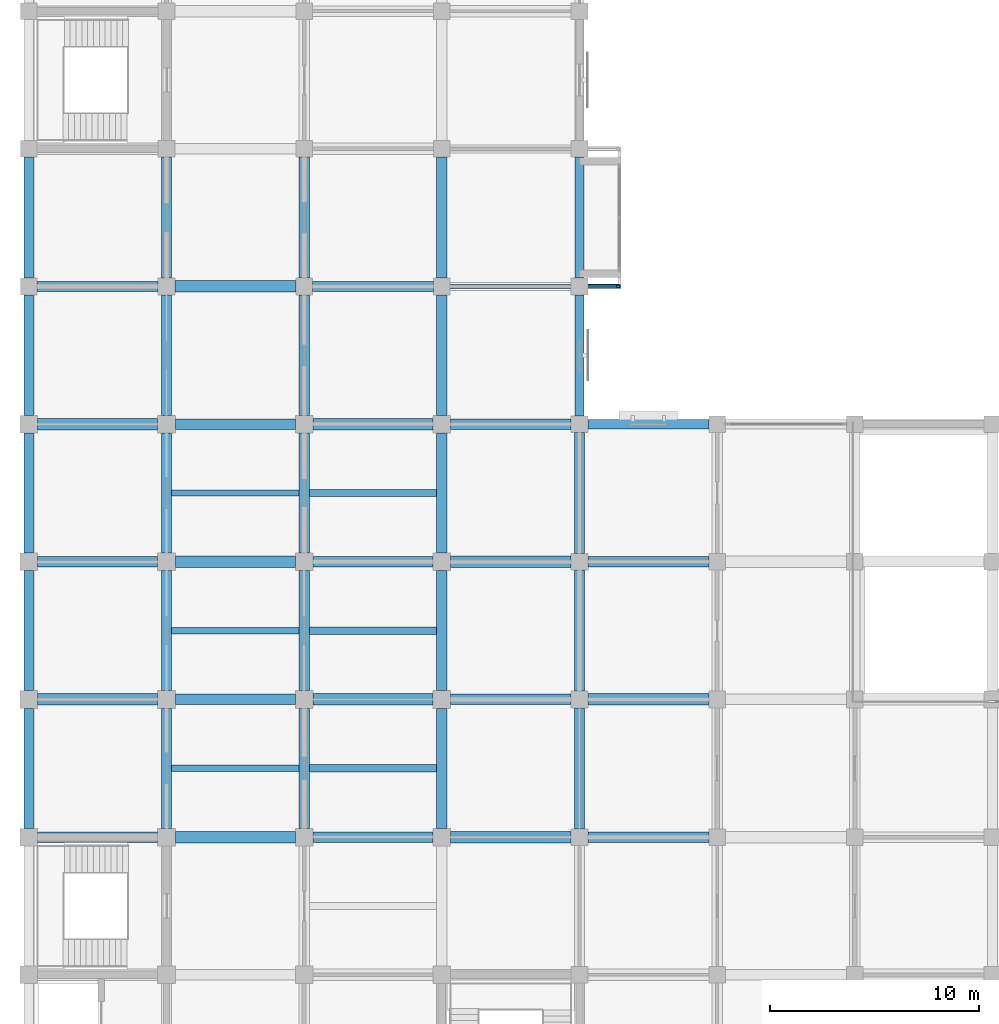
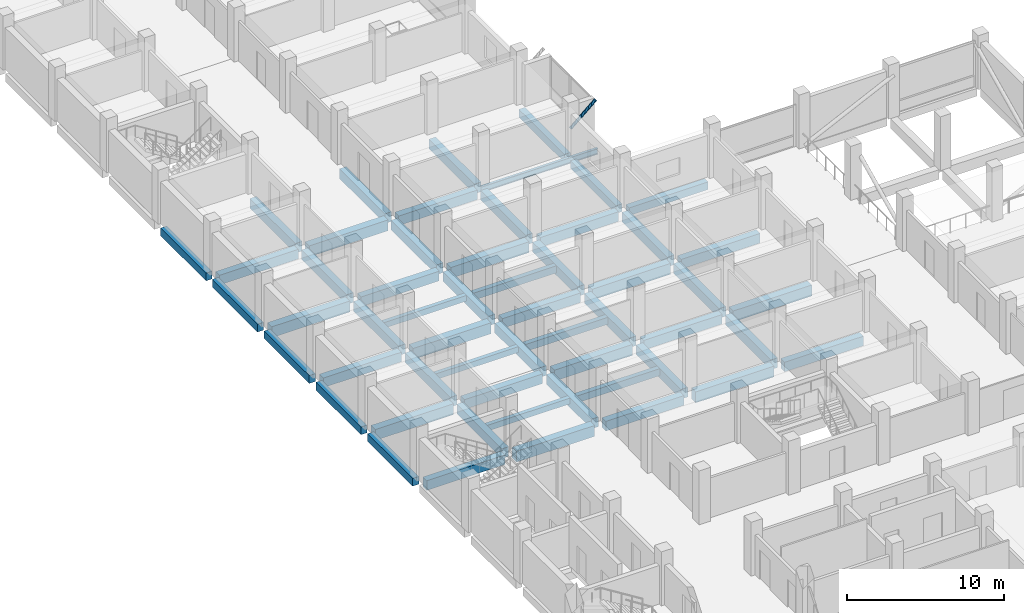
# One storey, part 4 of 30: 55 beams, 1 member.
"""IFC4 building model written with IfcOpenShell, lengths in metres."""

from ifc_helpers import new_model, si_unit, direction, frame, origin, origin_2d, place, context, subcontext, project, spatial, rectangle, hollow_circle, i_section, extrude, material, material_profile, profile_set, type_object, element, save


model = new_model("IFC4")

# Units and contexts
model_context = context("Model", 3, precision=1e-05, world=origin(), true_north=direction((0.0, 1.0)))
body_context = subcontext(model_context, "Body", "Model", "MODEL_VIEW")
ifc_project = project(units=[si_unit("LENGTHUNIT", "METRE"), si_unit("AREAUNIT", "SQUARE_METRE"), si_unit("VOLUMEUNIT", "CUBIC_METRE"), si_unit("PLANEANGLEUNIT", "RADIAN"), si_unit("MASSUNIT", "GRAM", prefix="KILO")], contexts=[model_context])

# Site, building, storey
site_placement = place(None, origin())
site = spatial("IfcSite", under=ifc_project, at=site_placement, CompositionType="ELEMENT")
building_placement = place(site_placement, origin())
building = spatial("IfcBuilding", under=site, at=building_placement, Name="Rusizi Kubbe Research Institute", CompositionType="ELEMENT")
storey_placement = place(building_placement, frame((0.0, 0.0, 10.199951171875)))
storey = spatial("IfcBuildingStorey", under=building, at=storey_placement, Name="L02", CompositionType="ELEMENT", Elevation=10.199951171875)

# Beams
ifc_material_1 = material(Name="Steel S355", Category="steel")
ifc_material_profile_1 = material_profile(ifc_material_1, i_section(OverallWidth=0.18994140625, OverallDepth=0.449951171875, WebThickness=0.009521484375, FlangeThickness=0.0146484375, at=origin_2d()), Name="IPE 450")
ifc_profile_set_1 = profile_set([ifc_material_profile_1], Name="Steel S355")
beam_type_1 = type_object("IfcBeamType", Name="BM-IPE450", PredefinedType="BEAM", material=ifc_profile_set_1)
beam_1_placement = place(storey_placement, frame((19.800048828125, 59.39990234375, -0.574951171875), z_axis=(1.0, 0.0, 0.0), x_axis=(0.0, 1.0, 0.0)))
element("IfcBeam", 1, at=beam_1_placement, inside=storey, type_object=beam_type_1, Name="Cumba Back-Spanned Cantilever Beam L02-1S", PredefinedType="BEAM", context=body_context, shape_type="SweptSolid", body=[
    extrude(i_section(OverallWidth=0.18994140625, OverallDepth=0.449951171875, WebThickness=0.009521484375, FlangeThickness=0.0146484375, at=origin_2d()), origin(), (0.0, 0.0, 1.0), 8.599853515625),
])
ifc_material_2 = material(Name="Concrete C40/50", Category="concrete")
ifc_material_profile_2 = material_profile(ifc_material_2, rectangle(XDim=0.300048828125, YDim=0.449951171875, at=origin_2d()), Name="RC300x450")
ifc_profile_set_2 = profile_set([ifc_material_profile_2], Name="Concrete C40/50")
beam_type_2 = type_object("IfcBeamType", Name="BM-RC300x450", PredefinedType="LINTEL", material=ifc_profile_set_2)
for number, where, z_axis, x_axis, name in (
    (2, (6.85009765625, 36.300048828125, -0.574951171875), (1.0, 0.0, 0.0), (0.0, 1.0, 0.0), "Corridor Portal Lintel Beam L02-05"),
    (3, (6.85009765625, 42.89990234375, -0.574951171875), (1.0, 0.0, 0.0), (0.0, 1.0, 0.0), "Corridor Portal Lintel Beam L02-06"),
    (4, (6.85009765625, 49.5, -0.574951171875), (1.0, 0.0, 0.0), (0.0, 1.0, 0.0), "Corridor Portal Lintel Beam L02-07"),
):
    element("IfcBeam", number, at=place(storey_placement, frame(where, z_axis=z_axis, x_axis=x_axis)), inside=storey, type_object=beam_type_2, Name=name, PredefinedType="LINTEL", context=body_context, shape_type="SweptSolid", body=[
        extrude(rectangle(XDim=0.300048828125, YDim=0.449951171875, at=origin_2d()), origin(), (0.0, 0.0, 1.0), 6.099853515625),
    ])
ifc_material_3 = material(Name="Concrete C40/50", Category="concrete")
ifc_material_profile_3 = material_profile(ifc_material_3, rectangle(XDim=0.35009765625, YDim=0.550048828125, at=origin_2d()), Name="RC350x550")
ifc_profile_set_3 = profile_set([ifc_material_profile_3], Name="Concrete C40/50")
beam_type_3 = type_object("IfcBeamType", Name="BM-RC350x550", PredefinedType="JOIST", material=ifc_profile_set_3)
for number, where, z_axis, x_axis, name in (
    (5, (13.449951171875, 36.300048828125, -0.625), (1.0, 0.0, 0.0), (0.0, 1.0, 0.0), "Lab Stiffener Joist L02 (2,5)"),
    (6, (13.449951171875, 42.89990234375, -0.625), (1.0, 0.0, 0.0), (0.0, 1.0, 0.0), "Lab Stiffener Joist L02 (2,6)"),
    (7, (13.449951171875, 49.5, -0.625), (1.0, 0.0, 0.0), (0.0, 1.0, 0.0), "Lab Stiffener Joist L02 (2,7)"),
):
    element("IfcBeam", number, at=place(storey_placement, frame(where, z_axis=z_axis, x_axis=x_axis)), inside=storey, type_object=beam_type_3, Name=name, PredefinedType="JOIST", context=body_context, shape_type="SweptSolid", body=[
        extrude(rectangle(XDim=0.35009765625, YDim=0.550048828125, at=origin_2d()), origin(), (0.0, 0.0, 1.0), 6.10009765625),
    ])
ifc_material_4 = material(Name="Concrete C40/50", Category="concrete")
ifc_material_profile_4 = material_profile(ifc_material_4, rectangle(XDim=0.449951171875, YDim=0.60009765625, at=origin_2d()), Name="RC450x600")
ifc_profile_set_4 = profile_set([ifc_material_profile_4], Name="Concrete C40/50")
beam_type_4 = type_object("IfcBeamType", Name="BM-RC450x600", PredefinedType="SPANDREL", material=ifc_profile_set_4)
beam_2_placement = place(storey_placement, frame((26.800048828125, 52.800048828125, -0.64990234375), z_axis=(1.0, 0.0, 0.0), x_axis=(0.0, 1.0, 0.0)))
element("IfcBeam", 8, at=beam_2_placement, inside=storey, type_object=beam_type_4, Name="Grid Beam H L02 (4,8)", PredefinedType="SPANDREL", context=body_context, shape_type="SweptSolid", body=[
    extrude(rectangle(XDim=0.449951171875, YDim=0.60009765625, at=origin_2d()), origin(), (0.0, 0.0, 1.0), 5.800048828125),
])
for number, where, z_axis, x_axis, name in (
    (9, (0.0, 33.425048828125, -0.64990234375), (0.0, 1.0, 0.0), (-1.0, 0.0, 0.0), "Grid Beam V L02 (0,5)"),
    (10, (0.0, 40.02490234375, -0.64990234375), (0.0, 1.0, 0.0), (-1.0, 0.0, 0.0), "Grid Beam V L02 (0,6)"),
    (11, (0.0, 46.625, -0.64990234375), (0.0, 1.0, 0.0), (-1.0, 0.0, 0.0), "Grid Beam V L02 (0,7)"),
):
    element("IfcBeam", number, at=place(storey_placement, frame(where, z_axis=z_axis, x_axis=x_axis)), inside=storey, type_object=beam_type_4, Name=name, PredefinedType="SPANDREL", context=body_context, shape_type="SweptSolid", body=[
        extrude(rectangle(XDim=0.449951171875, YDim=0.60009765625, at=origin_2d()), origin(), (0.0, 0.0, 1.0), 5.75),
    ])
beam_3_placement = place(storey_placement, frame((0.0, 53.22509765625, -0.64990234375), z_axis=(0.0, 1.0, 0.0), x_axis=(-1.0, 0.0, 0.0)))
element("IfcBeam", 12, at=beam_3_placement, inside=storey, type_object=beam_type_4, Name="Grid Beam V L02 (0,8)", PredefinedType="SPANDREL", context=body_context, shape_type="SweptSolid", body=[
    extrude(rectangle(XDim=0.449951171875, YDim=0.60009765625, at=origin_2d()), origin(), (0.0, 0.0, 1.0), 5.77490234375),
])
for number, where, z_axis, x_axis, name in (
    (13, (0.0, 59.800048828125, -0.64990234375), (0.0, 1.0, 0.0), (-1.0, 0.0, 0.0), "Grid Beam V L02 (0,9)"),
    (14, (26.39990234375, 53.199951171875, -0.64990234375), (0.0, 1.0, 0.0), (-1.0, 0.0, 0.0), "Grid Beam V L02 (4,8)"),
    (15, (26.39990234375, 59.800048828125, -0.64990234375), (0.0, 1.0, 0.0), (-1.0, 0.0, 0.0), "Grid Beam V L02 (4,9)"),
):
    element("IfcBeam", number, at=place(storey_placement, frame(where, z_axis=z_axis, x_axis=x_axis)), inside=storey, type_object=beam_type_4, Name=name, PredefinedType="SPANDREL", context=body_context, shape_type="SweptSolid", body=[
        extrude(rectangle(XDim=0.449951171875, YDim=0.60009765625, at=origin_2d()), origin(), (0.0, 0.0, 1.0), 5.800048828125),
    ])
ifc_material_5 = material(Name="Concrete C45/55", Category="concrete")
ifc_material_profile_5 = material_profile(ifc_material_5, rectangle(XDim=0.5, YDim=0.75, at=origin_2d()), Name="RC500x750B")
ifc_profile_set_5 = profile_set([ifc_material_profile_5], Name="Concrete C45/55")
beam_type_5 = type_object("IfcBeamType", Name="BM-RC500x750", PredefinedType="BEAM", material=ifc_profile_set_5)
for number, where, z_axis, x_axis, name in (
    (16, (0.425048828125, 33.0, -0.724853515625), (1.0, 0.0, 0.0), (0.0, 1.0, 0.0), "Grid Beam H L02 (0,5)"),
    (17, (0.425048828125, 46.199951171875, -0.724853515625), (1.0, 0.0, 0.0), (0.0, 1.0, 0.0), "Grid Beam H L02 (0,7)"),
):
    element("IfcBeam", number, at=place(storey_placement, frame(where, z_axis=z_axis, x_axis=x_axis)), inside=storey, type_object=beam_type_5, Name=name, PredefinedType="BEAM", context=body_context, shape_type="SweptSolid", body=[
        extrude(rectangle(XDim=0.5, YDim=0.75, at=origin_2d()), origin(), (0.0, 0.0, 1.0), 5.75),
    ])
beam_4_placement = place(storey_placement, frame((0.39990234375, 59.39990234375, -0.724853515625), z_axis=(1.0, 0.0, 0.0), x_axis=(0.0, 1.0, 0.0)))
element("IfcBeam", 18, at=beam_4_placement, inside=storey, type_object=beam_type_5, Name="Grid Beam H L02 (0,9)", PredefinedType="BEAM", context=body_context, shape_type="SweptSolid", body=[
    extrude(rectangle(XDim=0.5, YDim=0.75, at=origin_2d()), origin(), (0.0, 0.0, 1.0), 5.800048828125),
])
for number, where, z_axis, x_axis, name in (
    (19, (7.02490234375, 39.60009765625, -0.724853515625), (1.0, 0.0, 0.0), (0.0, 1.0, 0.0), "Grid Beam H L02 (1,6)"),
    (20, (7.02490234375, 52.800048828125, -0.724853515625), (1.0, 0.0, 0.0), (0.0, 1.0, 0.0), "Grid Beam H L02 (1,8)"),
    (21, (13.625, 33.0, -0.724853515625), (1.0, 0.0, 0.0), (0.0, 1.0, 0.0), "Grid Beam H L02 (2,5)"),
    (22, (13.625, 46.199951171875, -0.724853515625), (1.0, 0.0, 0.0), (0.0, 1.0, 0.0), "Grid Beam H L02 (2,7)"),
):
    element("IfcBeam", number, at=place(storey_placement, frame(where, z_axis=z_axis, x_axis=x_axis)), inside=storey, type_object=beam_type_5, Name=name, PredefinedType="BEAM", context=body_context, shape_type="SweptSolid", body=[
        extrude(rectangle(XDim=0.5, YDim=0.75, at=origin_2d()), origin(), (0.0, 0.0, 1.0), 5.75),
    ])
beam_5_placement = place(storey_placement, frame((13.60009765625, 59.39990234375, -0.724853515625), z_axis=(1.0, 0.0, 0.0), x_axis=(0.0, 1.0, 0.0)))
element("IfcBeam", 23, at=beam_5_placement, inside=storey, type_object=beam_type_5, Name="Grid Beam H L02 (2,9)", PredefinedType="BEAM", context=body_context, shape_type="SweptSolid", body=[
    extrude(rectangle(XDim=0.5, YDim=0.75, at=origin_2d()), origin(), (0.0, 0.0, 1.0), 5.7998046875),
])
for number, where, z_axis, x_axis, name in (
    (24, (20.22509765625, 39.60009765625, -0.724853515625), (1.0, 0.0, 0.0), (0.0, 1.0, 0.0), "Grid Beam H L02 (3,6)"),
    (25, (20.22509765625, 52.800048828125, -0.724853515625), (1.0, 0.0, 0.0), (0.0, 1.0, 0.0), "Grid Beam H L02 (3,8)"),
):
    element("IfcBeam", number, at=place(storey_placement, frame(where, z_axis=z_axis, x_axis=x_axis)), inside=storey, type_object=beam_type_5, Name=name, PredefinedType="BEAM", context=body_context, shape_type="SweptSolid", body=[
        extrude(rectangle(XDim=0.5, YDim=0.75, at=origin_2d()), origin(), (0.0, 0.0, 1.0), 5.77490234375),
    ])
for number, where, z_axis, x_axis, name in (
    (26, (26.800048828125, 33.0, -0.724853515625), (1.0, 0.0, 0.0), (0.0, 1.0, 0.0), "Grid Beam H L02 (4,5)"),
    (27, (26.800048828125, 46.199951171875, -0.724853515625), (1.0, 0.0, 0.0), (0.0, 1.0, 0.0), "Grid Beam H L02 (4,7)"),
):
    element("IfcBeam", number, at=place(storey_placement, frame(where, z_axis=z_axis, x_axis=x_axis)), inside=storey, type_object=beam_type_5, Name=name, PredefinedType="BEAM", context=body_context, shape_type="SweptSolid", body=[
        extrude(rectangle(XDim=0.5, YDim=0.75, at=origin_2d()), origin(), (0.0, 0.0, 1.0), 5.800048828125),
    ])
for number, where, z_axis, x_axis, name in (
    (28, (6.60009765625, 33.425048828125, -0.724853515625), (0.0, 1.0, 0.0), (-1.0, 0.0, 0.0), "Grid Beam V L02 (1,5)"),
    (29, (6.60009765625, 40.02490234375, -0.724853515625), (0.0, 1.0, 0.0), (-1.0, 0.0, 0.0), "Grid Beam V L02 (1,6)"),
    (30, (6.60009765625, 46.625, -0.724853515625), (0.0, 1.0, 0.0), (-1.0, 0.0, 0.0), "Grid Beam V L02 (1,7)"),
):
    element("IfcBeam", number, at=place(storey_placement, frame(where, z_axis=z_axis, x_axis=x_axis)), inside=storey, type_object=beam_type_5, Name=name, PredefinedType="BEAM", context=body_context, shape_type="SweptSolid", body=[
        extrude(rectangle(XDim=0.5, YDim=0.75, at=origin_2d()), origin(), (0.0, 0.0, 1.0), 5.75),
    ])
beam_6_placement = place(storey_placement, frame((6.60009765625, 53.22509765625, -0.724853515625), z_axis=(0.0, 1.0, 0.0), x_axis=(-1.0, 0.0, 0.0)))
element("IfcBeam", 31, at=beam_6_placement, inside=storey, type_object=beam_type_5, Name="Grid Beam V L02 (1,8)", PredefinedType="BEAM", context=body_context, shape_type="SweptSolid", body=[
    extrude(rectangle(XDim=0.5, YDim=0.75, at=origin_2d()), origin(), (0.0, 0.0, 1.0), 5.77490234375),
])
beam_7_placement = place(storey_placement, frame((6.60009765625, 59.800048828125, -0.724853515625), z_axis=(0.0, 1.0, 0.0), x_axis=(-1.0, 0.0, 0.0)))
element("IfcBeam", 32, at=beam_7_placement, inside=storey, type_object=beam_type_5, Name="Grid Beam V L02 (1,9)", PredefinedType="BEAM", context=body_context, shape_type="SweptSolid", body=[
    extrude(rectangle(XDim=0.5, YDim=0.75, at=origin_2d()), origin(), (0.0, 0.0, 1.0), 5.800048828125),
])
for number, where, z_axis, x_axis, name in (
    (33, (13.199951171875, 33.425048828125, -0.724853515625), (0.0, 1.0, 0.0), (-1.0, 0.0, 0.0), "Grid Beam V L02 (2,5)"),
    (34, (13.199951171875, 40.02490234375, -0.724853515625), (0.0, 1.0, 0.0), (-1.0, 0.0, 0.0), "Grid Beam V L02 (2,6)"),
    (35, (13.199951171875, 46.625, -0.724853515625), (0.0, 1.0, 0.0), (-1.0, 0.0, 0.0), "Grid Beam V L02 (2,7)"),
):
    element("IfcBeam", number, at=place(storey_placement, frame(where, z_axis=z_axis, x_axis=x_axis)), inside=storey, type_object=beam_type_5, Name=name, PredefinedType="BEAM", context=body_context, shape_type="SweptSolid", body=[
        extrude(rectangle(XDim=0.5, YDim=0.75, at=origin_2d()), origin(), (0.0, 0.0, 1.0), 5.75),
    ])
beam_8_placement = place(storey_placement, frame((13.199951171875, 53.22509765625, -0.724853515625), z_axis=(0.0, 1.0, 0.0), x_axis=(-1.0, 0.0, 0.0)))
element("IfcBeam", 36, at=beam_8_placement, inside=storey, type_object=beam_type_5, Name="Grid Beam V L02 (2,8)", PredefinedType="BEAM", context=body_context, shape_type="SweptSolid", body=[
    extrude(rectangle(XDim=0.5, YDim=0.75, at=origin_2d()), origin(), (0.0, 0.0, 1.0), 5.77490234375),
])
beam_9_placement = place(storey_placement, frame((13.199951171875, 59.800048828125, -0.724853515625), z_axis=(0.0, 1.0, 0.0), x_axis=(-1.0, 0.0, 0.0)))
element("IfcBeam", 37, at=beam_9_placement, inside=storey, type_object=beam_type_5, Name="Grid Beam V L02 (2,9)", PredefinedType="BEAM", context=body_context, shape_type="SweptSolid", body=[
    extrude(rectangle(XDim=0.5, YDim=0.75, at=origin_2d()), origin(), (0.0, 0.0, 1.0), 5.800048828125),
])
for number, where, z_axis, x_axis, name in (
    (38, (19.800048828125, 33.425048828125, -0.724853515625), (0.0, 1.0, 0.0), (-1.0, 0.0, 0.0), "Grid Beam V L02 (3,5)"),
    (39, (19.800048828125, 40.02490234375, -0.724853515625), (0.0, 1.0, 0.0), (-1.0, 0.0, 0.0), "Grid Beam V L02 (3,6)"),
    (40, (19.800048828125, 46.625, -0.724853515625), (0.0, 1.0, 0.0), (-1.0, 0.0, 0.0), "Grid Beam V L02 (3,7)"),
):
    element("IfcBeam", number, at=place(storey_placement, frame(where, z_axis=z_axis, x_axis=x_axis)), inside=storey, type_object=beam_type_5, Name=name, PredefinedType="BEAM", context=body_context, shape_type="SweptSolid", body=[
        extrude(rectangle(XDim=0.5, YDim=0.75, at=origin_2d()), origin(), (0.0, 0.0, 1.0), 5.75),
    ])
beam_10_placement = place(storey_placement, frame((19.800048828125, 53.22509765625, -0.724853515625), z_axis=(0.0, 1.0, 0.0), x_axis=(-1.0, 0.0, 0.0)))
element("IfcBeam", 41, at=beam_10_placement, inside=storey, type_object=beam_type_5, Name="Grid Beam V L02 (3,8)", PredefinedType="BEAM", context=body_context, shape_type="SweptSolid", body=[
    extrude(rectangle(XDim=0.5, YDim=0.75, at=origin_2d()), origin(), (0.0, 0.0, 1.0), 5.77490234375),
])
for number, where, z_axis, x_axis, name in (
    (42, (19.800048828125, 59.800048828125, -0.724853515625), (0.0, 1.0, 0.0), (-1.0, 0.0, 0.0), "Grid Beam V L02 (3,9)"),
    (43, (26.39990234375, 33.39990234375, -0.724853515625), (0.0, 1.0, 0.0), (-1.0, 0.0, 0.0), "Grid Beam V L02 (4,5)"),
    (44, (26.39990234375, 40.0, -0.724853515625), (0.0, 1.0, 0.0), (-1.0, 0.0, 0.0), "Grid Beam V L02 (4,6)"),
):
    element("IfcBeam", number, at=place(storey_placement, frame(where, z_axis=z_axis, x_axis=x_axis)), inside=storey, type_object=beam_type_5, Name=name, PredefinedType="BEAM", context=body_context, shape_type="SweptSolid", body=[
        extrude(rectangle(XDim=0.5, YDim=0.75, at=origin_2d()), origin(), (0.0, 0.0, 1.0), 5.800048828125),
    ])
beam_11_placement = place(storey_placement, frame((26.39990234375, 46.60009765625, -0.724853515625), z_axis=(0.0, 1.0, 0.0), x_axis=(-1.0, 0.0, 0.0)))
element("IfcBeam", 45, at=beam_11_placement, inside=storey, type_object=beam_type_5, Name="Grid Beam V L02 (4,7)", PredefinedType="BEAM", context=body_context, shape_type="SweptSolid", body=[
    extrude(rectangle(XDim=0.5, YDim=0.75, at=origin_2d()), origin(), (0.0, 0.0, 1.0), 5.7998046875),
])
ifc_material_6 = material(Name="Concrete C45/55", Category="concrete")
ifc_material_profile_6 = material_profile(ifc_material_6, rectangle(XDim=0.550048828125, YDim=0.85009765625, at=origin_2d()), Name="RC550x850")
ifc_profile_set_6 = profile_set([ifc_material_profile_6], Name="Concrete C45/55")
beam_type_6 = type_object("IfcBeamType", Name="BM-RC550x850", PredefinedType="BEAM", material=ifc_profile_set_6)
for number, where, z_axis, x_axis, name in (
    (46, (0.425048828125, 39.60009765625, -0.77490234375), (1.0, 0.0, 0.0), (0.0, 1.0, 0.0), "Grid Beam H L02 (0,6)"),
    (47, (0.425048828125, 52.800048828125, -0.77490234375), (1.0, 0.0, 0.0), (0.0, 1.0, 0.0), "Grid Beam H L02 (0,8)"),
    (48, (7.02490234375, 33.0, -0.77490234375), (1.0, 0.0, 0.0), (0.0, 1.0, 0.0), "Grid Beam H L02 (1,5)"),
    (49, (7.02490234375, 46.199951171875, -0.77490234375), (1.0, 0.0, 0.0), (0.0, 1.0, 0.0), "Grid Beam H L02 (1,7)"),
):
    element("IfcBeam", number, at=place(storey_placement, frame(where, z_axis=z_axis, x_axis=x_axis)), inside=storey, type_object=beam_type_6, Name=name, PredefinedType="BEAM", context=body_context, shape_type="SweptSolid", body=[
        extrude(rectangle(XDim=0.550048828125, YDim=0.85009765625, at=origin_2d()), origin(), (0.0, 0.0, 1.0), 5.75),
    ])
beam_12_placement = place(storey_placement, frame((7.0, 59.39990234375, -0.77490234375), z_axis=(1.0, 0.0, 0.0), x_axis=(0.0, 1.0, 0.0)))
element("IfcBeam", 50, at=beam_12_placement, inside=storey, type_object=beam_type_6, Name="Grid Beam H L02 (1,9)", PredefinedType="BEAM", context=body_context, shape_type="SweptSolid", body=[
    extrude(rectangle(XDim=0.550048828125, YDim=0.85009765625, at=origin_2d()), origin(), (0.0, 0.0, 1.0), 5.800048828125),
])
for number, where, z_axis, x_axis, name in (
    (51, (13.625, 39.60009765625, -0.77490234375), (1.0, 0.0, 0.0), (0.0, 1.0, 0.0), "Grid Beam H L02 (2,6)"),
    (52, (13.625, 52.800048828125, -0.77490234375), (1.0, 0.0, 0.0), (0.0, 1.0, 0.0), "Grid Beam H L02 (2,8)"),
):
    element("IfcBeam", number, at=place(storey_placement, frame(where, z_axis=z_axis, x_axis=x_axis)), inside=storey, type_object=beam_type_6, Name=name, PredefinedType="BEAM", context=body_context, shape_type="SweptSolid", body=[
        extrude(rectangle(XDim=0.550048828125, YDim=0.85009765625, at=origin_2d()), origin(), (0.0, 0.0, 1.0), 5.75),
    ])
for number, where, z_axis, x_axis, name in (
    (53, (20.22509765625, 33.0, -0.77490234375), (1.0, 0.0, 0.0), (0.0, 1.0, 0.0), "Grid Beam H L02 (3,5)"),
    (54, (20.22509765625, 46.199951171875, -0.77490234375), (1.0, 0.0, 0.0), (0.0, 1.0, 0.0), "Grid Beam H L02 (3,7)"),
):
    element("IfcBeam", number, at=place(storey_placement, frame(where, z_axis=z_axis, x_axis=x_axis)), inside=storey, type_object=beam_type_6, Name=name, PredefinedType="BEAM", context=body_context, shape_type="SweptSolid", body=[
        extrude(rectangle(XDim=0.550048828125, YDim=0.85009765625, at=origin_2d()), origin(), (0.0, 0.0, 1.0), 5.77490234375),
    ])
beam_13_placement = place(storey_placement, frame((26.800048828125, 39.60009765625, -0.77490234375), z_axis=(1.0, 0.0, 0.0), x_axis=(0.0, 1.0, 0.0)))
element("IfcBeam", 55, at=beam_13_placement, inside=storey, type_object=beam_type_6, Name="Grid Beam H L02 (4,6)", PredefinedType="BEAM", context=body_context, shape_type="SweptSolid", body=[
    extrude(rectangle(XDim=0.550048828125, YDim=0.85009765625, at=origin_2d()), origin(), (0.0, 0.0, 1.0), 5.800048828125),
])

# Member
ifc_material_7 = material(Name="Steel S355", Category="steel")
ifc_material_profile_7 = material_profile(ifc_material_7, hollow_circle(Radius=0.109619140625, WallThickness=0.008056640625, at=origin_2d()), Name="CHS 219.1x8.0")
ifc_profile_set_7 = profile_set([ifc_material_profile_7], Name="Steel S355")
member_type = type_object("IfcMemberType", Name="MB-CHS219", PredefinedType="BRACE", material=ifc_profile_set_7)
member_placement = place(storey_placement, frame((26.39990234375, 59.39990234375, 1.85009765625), z_axis=(0.756409887843, 0.0, 0.654097914362), x_axis=(0.0, 1.0, 0.0)))
element("IfcMember", 56, at=member_placement, inside=storey, type_object=member_type, Name="Cumba Diagonal Corbel Brace L03-1S", PredefinedType="BRACE", context=body_context, shape_type="SweptSolid", body=[
    extrude(hollow_circle(Radius=0.109619140625, WallThickness=0.008056640625, at=origin_2d()), origin(), (0.0, 0.0, 1.0), 2.44580078125),
])

save(model, "model.ifc")
